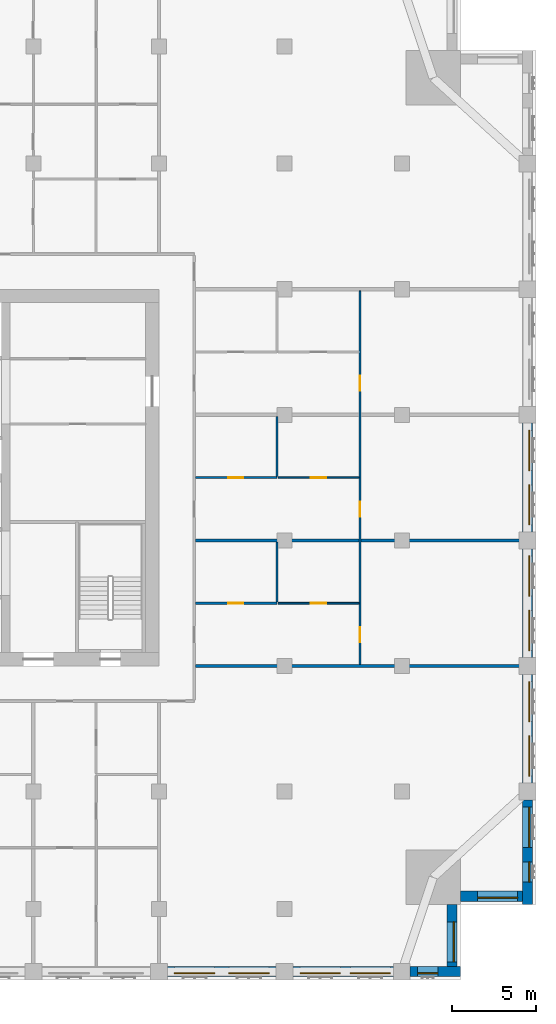
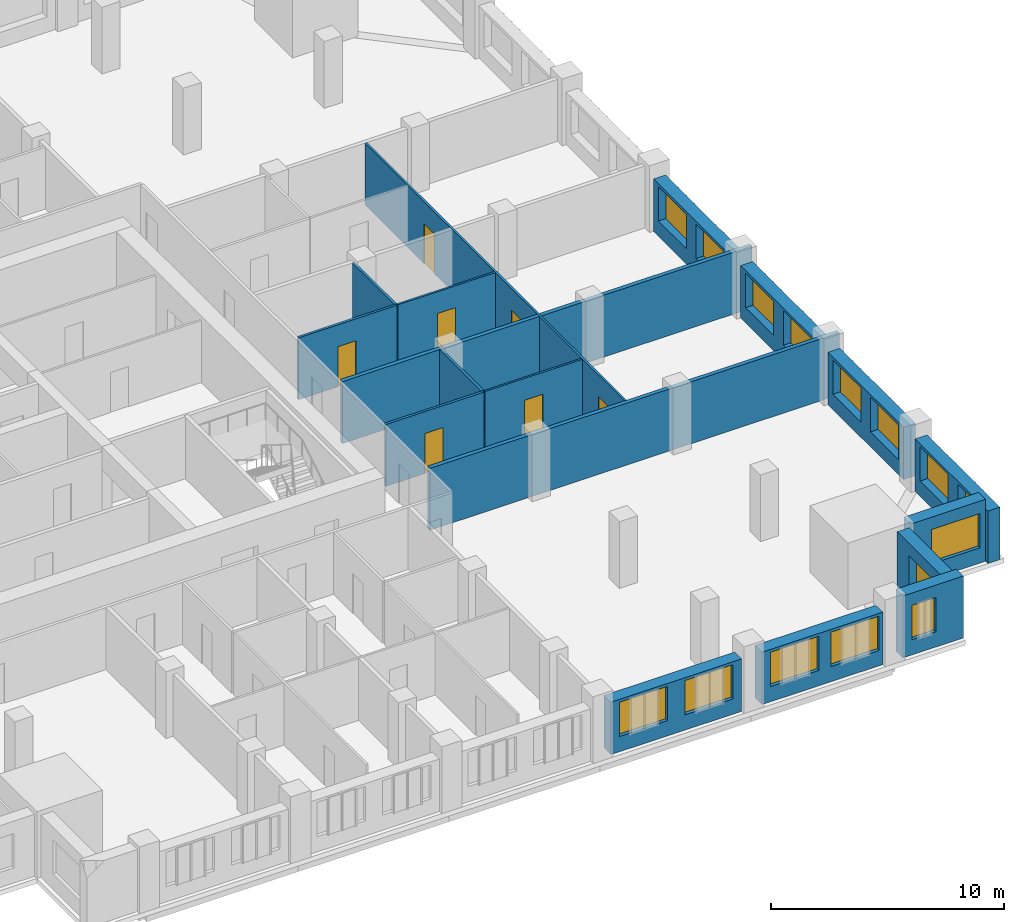
# One storey, part 8 of 14: 18 walls, 15 windows, 7 doors, 22 openings.
"""IFC4 building model written with IfcOpenShell, lengths in metres."""

import ifcopenshell
import ifcopenshell.guid

model = None  # the IFC model being written
_history = None  # IfcOwnerHistory: only IFC2X3 demands one
_inside = {}  # id of a spatial element -> (the spatial element, [elements in it])
_under = {}  # id of a project, library or spatial element -> (it, [spatial elements below it])
_declared = {}  # id of a project -> (the project, [libraries it declares])
_typed = {}  # id of a type object -> (the type object, [elements of that type])
_made_of = {}  # id of a material, layer set ... -> (it, [elements and type objects made of it])


def new_model(schema):
    """Start an empty IFC model of exactly this schema.

    Asked for "IFC4X3", IfcOpenShell would pick the latest addendum, in which some entities
    have other attributes; the version numbers below select the first issue.
    IFC2X3 requires an IfcOwnerHistory on every rooted entity: one is made here for all.
    """
    global model, _history
    if schema == "IFC4X3":
        model = ifcopenshell.file(schema_version=(4, 3, 0, 0))
    else:
        model = ifcopenshell.file(schema=schema)
    _inside.clear()
    _under.clear()
    _declared.clear()
    _typed.clear()
    _made_of.clear()
    _history = None
    if model.schema == "IFC2X3":
        org = make("IfcOrganization", Name="unknown")
        user = make(
            "IfcPersonAndOrganization",
            ThePerson=make("IfcPerson", FamilyName="unknown"),
            TheOrganization=org,
        )
        app = make(
            "IfcApplication",
            ApplicationDeveloper=org,
            Version="unknown",
            ApplicationFullName="unknown",
            ApplicationIdentifier="unknown",
        )
        _history = make(
            "IfcOwnerHistory",
            OwningUser=user,
            OwningApplication=app,
            ChangeAction="ADDED",
            CreationDate=0,
        )
    return model


def make(cls, **values):
    """One entity of the class cls with the attributes given. An attribute that is None is left unset."""
    return model.create_entity(
        cls, **{name: value for name, value in values.items() if value is not None}
    )


def rooted(cls, **values):
    """An entity with a GlobalId (a new one), such as an element, a storey or a relation."""
    return make(cls, GlobalId=ifcopenshell.guid.new(), OwnerHistory=_history, **values)


def si_unit(unit_type, name, prefix=None):
    """IfcSIUnit, for example si_unit("LENGTHUNIT", "METRE", prefix="MILLI")."""
    return make("IfcSIUnit", UnitType=unit_type, Prefix=prefix, Name=name)


def assignment(units):
    """IfcUnitAssignment: the units of a project."""
    return None if units is None else make("IfcUnitAssignment", Units=units)


def point(xyz):
    """IfcCartesianPoint."""
    return None if xyz is None else make("IfcCartesianPoint", Coordinates=xyz)


def direction(xyz):
    """IfcDirection."""
    return None if xyz is None else make("IfcDirection", DirectionRatios=xyz)


def frame(location, z_axis=None, x_axis=None):
    """IfcAxis2Placement3D, a coordinate frame: its origin and axes. An axis left out is left unset."""
    return make(
        "IfcAxis2Placement3D",
        Location=point(location),
        Axis=direction(z_axis),
        RefDirection=direction(x_axis),
    )


def frame_2d(location, x_axis=None):
    """IfcAxis2Placement2D, a coordinate frame in the plane: its origin and x axis."""
    return make(
        "IfcAxis2Placement2D", Location=point(location), RefDirection=direction(x_axis)
    )


def origin():
    """The frame at (0, 0, 0) with its axes left unset."""
    return frame((0.0, 0.0, 0.0))


def place(relative_to, where):
    """IfcLocalPlacement: puts the frame where relative to a parent placement (None: the world)."""
    return make(
        "IfcLocalPlacement", PlacementRelTo=relative_to, RelativePlacement=where
    )


def context(
    kind, dimensions, precision=None, world=None, true_north=None, identifier=None
):
    """IfcGeometricRepresentationContext, for example the 3D "Model" context."""
    return make(
        "IfcGeometricRepresentationContext",
        ContextIdentifier=identifier,
        ContextType=kind,
        CoordinateSpaceDimension=dimensions,
        Precision=precision,
        WorldCoordinateSystem=world,
        TrueNorth=true_north,
    )


def subcontext(parent, identifier, kind, view, scale=None):
    """IfcGeometricRepresentationSubContext, for example "Body" below "Model"."""
    return make(
        "IfcGeometricRepresentationSubContext",
        ContextIdentifier=identifier,
        ContextType=kind,
        ParentContext=parent,
        TargetScale=scale,
        TargetView=view,
    )


def project(units=None, contexts=None):
    """IfcProject with its units and contexts."""
    return rooted(
        "IfcProject",
        Name="project",
        RepresentationContexts=contexts,
        UnitsInContext=assignment(units),
    )


def spatial(cls, under=None, at=None, **own):
    """A site, building, storey or space (cls), placed at a placement, below another one or the project."""
    s = rooted(cls, ObjectPlacement=at, **own)
    if under is not None:
        _under.setdefault(under.id(), (under, []))[1].append(s)
    return s


def profile(cls, at=None, kind="AREA", **sizes):
    """A parametric profile (cls). Its sizes go by their IFC names, for example OverallWidth=200.0."""
    return make(cls, ProfileType=kind, Position=at, **sizes)


def rectangle(**sizes):
    """IfcRectangleProfileDef."""
    return profile("IfcRectangleProfileDef", **sizes)


def extrude(swept, where, along, depth):
    """IfcExtrudedAreaSolid: the profile swept, set in the frame where, extruded along a direction by depth."""
    return make(
        "IfcExtrudedAreaSolid",
        SweptArea=swept,
        Position=where,
        ExtrudedDirection=direction(along),
        Depth=depth,
    )


def shape(context_of_items, identifier, shape_type, items):
    """IfcShapeRepresentation: the items that make up one representation, for example the "Body"."""
    return make(
        "IfcShapeRepresentation",
        ContextOfItems=context_of_items,
        RepresentationIdentifier=identifier,
        RepresentationType=shape_type,
        Items=items,
    )


def material(Name=None, Category=None):
    """IfcMaterial."""
    return make("IfcMaterial", Name=Name, Category=Category)


def layer(
    of_material, thickness, ventilated=None, Name=None, Category=None, Priority=None
):
    """IfcMaterialLayer: one layer of a wall or slab, of a material (None: an air gap)."""
    return make(
        "IfcMaterialLayer",
        Material=of_material,
        LayerThickness=thickness,
        IsVentilated=ventilated,
        Name=Name,
        Category=Category,
        Priority=Priority,
    )


def layer_set(layers, Name=None):
    """IfcMaterialLayerSet."""
    return make("IfcMaterialLayerSet", MaterialLayers=layers, LayerSetName=Name)


def made_of(thing, what):
    """Note that an element or type object is made of a material, layer set ...; save() writes the relation."""
    if what is not None:
        _made_of.setdefault(what.id(), (what, []))[1].append(thing)
    return thing


def type_object(cls, material=None, **own):
    """A type object (cls), such as IfcWallType, which elements share."""
    return made_of(rooted(cls, **own), material)


def element(
    cls,
    number,
    at=None,
    inside=None,
    cuts=None,
    type_object=None,
    material=None,
    context=None,
    identifier="Body",
    shape_type=None,
    held_by="IfcProductDefinitionShape",
    body=None,
    shapes=None,
    **own,
):
    """One element of the class cls, such as IfcWall. Its Tag is "e" and its number.

    at: its placement. inside: the storey or other place that contains it. cuts: it is an
    opening in that element (IfcRelVoidsElement). A single representation is given by context,
    identifier, shape_type and body (its items); several are given by shapes. held_by: the class
    of the entity that holds the representations. save() writes the other relations.
    """
    e = rooted(cls, Tag="e%d" % number, ObjectPlacement=at, **own)
    if body is not None:
        shapes = [shape(context, identifier, shape_type, body)]
    if shapes is not None:
        e.Representation = make(held_by, Representations=shapes)
    if inside is not None:
        _inside.setdefault(inside.id(), (inside, []))[1].append(e)
    if cuts is not None:
        rooted(
            "IfcRelVoidsElement", RelatingBuildingElement=cuts, RelatedOpeningElement=e
        )
    if type_object is not None:
        _typed.setdefault(type_object.id(), (type_object, []))[1].append(e)
    return made_of(e, material)


def fill(opening, filler):
    """IfcRelFillsElement: the door or window that sits in an opening."""
    return rooted(
        "IfcRelFillsElement",
        RelatingOpeningElement=opening,
        RelatedBuildingElement=filler,
    )


def aggregate(whole, parts):
    """IfcRelAggregates: a whole, such as a stair, and the parts it consists of."""
    return rooted("IfcRelAggregates", RelatingObject=whole, RelatedObjects=parts)


def save(model, path):
    """Write the relations noted so far, then the file.

    IfcRelAggregates (storeys below a building ...), IfcRelContainedInSpatialStructure (elements
    in a storey), IfcRelDefinesByType, IfcRelAssociatesMaterial and IfcRelDeclares: one each for
    every whole, place, type object, material and project.
    """
    for whole, parts in _under.values():
        aggregate(whole, parts)
    for where, things in _inside.values():
        rooted(
            "IfcRelContainedInSpatialStructure",
            RelatedElements=things,
            RelatingStructure=where,
        )
    for kind, things in _typed.values():
        rooted("IfcRelDefinesByType", RelatedObjects=things, RelatingType=kind)
    for what, things in _made_of.values():
        rooted("IfcRelAssociatesMaterial", RelatedObjects=things, RelatingMaterial=what)
    for by, libraries in _declared.values():
        rooted("IfcRelDeclares", RelatingContext=by, RelatedDefinitions=libraries)
    model.write(path)


model = new_model("IFC4")

# Units and contexts
model_context = context("Model", 3, precision=1e-05, world=origin(), true_north=direction((0.0, 1.0)))
body_context = subcontext(model_context, "Body", "Model", "MODEL_VIEW")
ifc_project = project(units=[si_unit("LENGTHUNIT", "METRE"), si_unit("AREAUNIT", "SQUARE_METRE"), si_unit("VOLUMEUNIT", "CUBIC_METRE"), si_unit("PLANEANGLEUNIT", "RADIAN"), si_unit("MASSUNIT", "GRAM", prefix="KILO")], contexts=[model_context])

# Site, building, storey
site_placement = place(None, origin())
site = spatial("IfcSite", under=ifc_project, at=site_placement, CompositionType="ELEMENT")
building_placement = place(site_placement, origin())
building = spatial("IfcBuilding", under=site, at=building_placement, Name="Tamorin Gate", CompositionType="ELEMENT")
storey_placement = place(building_placement, frame((0.0, 0.0, 189.699951171875)))
storey = spatial("IfcBuildingStorey", under=building, at=storey_placement, Name="L46", CompositionType="ELEMENT", Elevation=189.699951171875)

# Wall, openings, windows
ifc_material_1 = material(Name="Precast concrete C40/50", Category="concrete")
ifc_layer_1 = layer(ifc_material_1, 0.60009765625)
ifc_layer_set_1 = layer_set([ifc_layer_1], Name="Precast concrete C40/50")
wall_type_1 = type_object("IfcWallType", Name="Board-marked concrete facade panel 600", PredefinedType="SOLIDWALL", material=ifc_layer_set_1)
wall_1_placement = place(storey_placement, frame((60.5, 41.75, 0.0), z_axis=(0.0, 0.0, 1.0), x_axis=(1.0, 0.0, 0.0)))
wall_1 = element("IfcWall", 1, at=wall_1_placement, inside=storey, type_object=wall_type_1, Name="Facade panel", PredefinedType="SOLIDWALL", context=body_context, shape_type="SweptSolid", body=[
    extrude(rectangle(XDim=6.5, YDim=0.60009765625, at=frame_2d((3.25, 0.0))), origin(), (0.0, 0.0, 1.0), 2.75),
])
opening_1_placement = place(wall_1_placement, frame((0.425048828125, 0.0, 0.800048828125)))
opening_1 = element("IfcOpeningElement", 2, at=opening_1_placement, cuts=wall_1, Name="Opening WN1", PredefinedType="OPENING", context=body_context, shape_type="SweptSolid", body=[
    extrude(rectangle(XDim=2.39990234375, YDim=1.800048828125, at=frame_2d((1.199951171875, 0.89990234375))), frame((0.0, 0.31005859375, 0.0), z_axis=(0.0, -1.0, 0.0), x_axis=(1.0, 0.0, 0.0)), (0.0, 0.0, 1.0), 0.6201171875),
])
opening_2_placement = place(wall_1_placement, frame((3.675048828125, 0.0, 0.800048828125)))
opening_2 = element("IfcOpeningElement", 3, at=opening_2_placement, cuts=wall_1, Name="Opening WN1", PredefinedType="OPENING", context=body_context, shape_type="SweptSolid", body=[
    extrude(rectangle(XDim=2.39990234375, YDim=1.800048828125, at=frame_2d((1.199951171875, 0.89990234375))), frame((0.0, 0.31005859375, 0.0), z_axis=(0.0, -1.0, 0.0), x_axis=(1.0, 0.0, 0.0)), (0.0, 0.0, 1.0), 0.6201171875),
])
ifc_material_2 = material(Name="Clear glass in aluminium frame", Category="aluminium")
window_type_1 = type_object("IfcWindowType", Name="Deep-set window 2400x1800", PartitioningType="SINGLE_PANEL", PredefinedType="WINDOW", material=ifc_material_2)
window_1_placement = place(opening_1_placement, origin())
window_1 = element("IfcWindow", 4, at=window_1_placement, inside=storey, type_object=window_type_1, Name="Deep-set window", OverallHeight=1.800048828125, OverallWidth=2.39990234375, PartitioningType="SINGLE_PANEL", PredefinedType="WINDOW", context=body_context, shape_type="SweptSolid", body=[
    extrude(rectangle(XDim=2.39990234375, YDim=1.800048828125, at=frame_2d((1.199951171875, 0.89990234375))), frame((0.0, -0.070068359375, 0.0), z_axis=(0.0, -1.0, 0.0), x_axis=(1.0, 0.0, 0.0)), (0.0, 0.0, 1.0), 0.06005859375),
])
fill(opening_1, window_1)
window_2_placement = place(opening_2_placement, origin())
window_2 = element("IfcWindow", 5, at=window_2_placement, inside=storey, type_object=window_type_1, Name="Deep-set window", OverallHeight=1.800048828125, OverallWidth=2.39990234375, PartitioningType="SINGLE_PANEL", PredefinedType="WINDOW", context=body_context, shape_type="SweptSolid", body=[
    extrude(rectangle(XDim=2.39990234375, YDim=1.800048828125, at=frame_2d((1.199951171875, 0.89990234375))), frame((0.0, -0.070068359375, 0.0), z_axis=(0.0, -1.0, 0.0), x_axis=(1.0, 0.0, 0.0)), (0.0, 0.0, 1.0), 0.06005859375),
])
fill(opening_2, window_2)

wall_2_placement = place(storey_placement, frame((68.0, 41.75, 0.0), z_axis=(0.0, 0.0, 1.0), x_axis=(1.0, 0.0, 0.0)))
wall_2 = element("IfcWall", 6, at=wall_2_placement, inside=storey, type_object=wall_type_1, Name="Facade panel", PredefinedType="SOLIDWALL", context=body_context, shape_type="SweptSolid", body=[
    extrude(rectangle(XDim=6.0, YDim=0.60009765625, at=frame_2d((3.0, 0.0))), origin(), (0.0, 0.0, 1.0), 2.75),
])
opening_3_placement = place(wall_2_placement, frame((0.425048828125, 0.0, 0.800048828125)))
opening_3 = element("IfcOpeningElement", 7, at=opening_3_placement, cuts=wall_2, Name="Opening WN1", PredefinedType="OPENING", context=body_context, shape_type="SweptSolid", body=[
    extrude(rectangle(XDim=2.39990234375, YDim=1.800048828125, at=frame_2d((1.199951171875, 0.89990234375))), frame((0.0, 0.31005859375, 0.0), z_axis=(0.0, -1.0, 0.0), x_axis=(1.0, 0.0, 0.0)), (0.0, 0.0, 1.0), 0.6201171875),
])
opening_4_placement = place(wall_2_placement, frame((3.425048828125, 0.0, 0.800048828125)))
opening_4 = element("IfcOpeningElement", 8, at=opening_4_placement, cuts=wall_2, Name="Opening WN1", PredefinedType="OPENING", context=body_context, shape_type="SweptSolid", body=[
    extrude(rectangle(XDim=2.39990234375, YDim=1.800048828125, at=frame_2d((1.199951171875, 0.89990234375))), frame((0.0, 0.31005859375, 0.0), z_axis=(0.0, -1.0, 0.0), x_axis=(1.0, 0.0, 0.0)), (0.0, 0.0, 1.0), 0.6201171875),
])
window_3_placement = place(opening_3_placement, origin())
window_3 = element("IfcWindow", 9, at=window_3_placement, inside=storey, type_object=window_type_1, Name="Deep-set window", OverallHeight=1.800048828125, OverallWidth=2.39990234375, PartitioningType="SINGLE_PANEL", PredefinedType="WINDOW", context=body_context, shape_type="SweptSolid", body=[
    extrude(rectangle(XDim=2.39990234375, YDim=1.800048828125, at=frame_2d((1.199951171875, 0.89990234375))), frame((0.0, -0.070068359375, 0.0), z_axis=(0.0, -1.0, 0.0), x_axis=(1.0, 0.0, 0.0)), (0.0, 0.0, 1.0), 0.06005859375),
])
fill(opening_3, window_3)
window_4_placement = place(opening_4_placement, origin())
window_4 = element("IfcWindow", 10, at=window_4_placement, inside=storey, type_object=window_type_1, Name="Deep-set window", OverallHeight=1.800048828125, OverallWidth=2.39990234375, PartitioningType="SINGLE_PANEL", PredefinedType="WINDOW", context=body_context, shape_type="SweptSolid", body=[
    extrude(rectangle(XDim=2.39990234375, YDim=1.800048828125, at=frame_2d((1.199951171875, 0.89990234375))), frame((0.0, -0.070068359375, 0.0), z_axis=(0.0, -1.0, 0.0), x_axis=(1.0, 0.0, 0.0)), (0.0, 0.0, 1.0), 0.06005859375),
])
fill(opening_4, window_4)

# Wall, opening, window
wall_3_placement = place(storey_placement, frame((75.0, 41.75, 0.0), z_axis=(0.0, 0.0, 1.0), x_axis=(1.0, 0.0, 0.0)))
wall_3 = element("IfcWall", 11, at=wall_3_placement, inside=storey, type_object=wall_type_1, Name="Facade panel", PredefinedType="SOLIDWALL", context=body_context, shape_type="SweptSolid", body=[
    extrude(rectangle(XDim=3.0, YDim=0.60009765625, at=frame_2d((1.5, 0.0))), origin(), (0.0, 0.0, 1.0), 3.25),
])
opening_5_placement = place(wall_3_placement, frame((0.449951171875, 0.0, 0.800048828125)))
opening_5 = element("IfcOpeningElement", 12, at=opening_5_placement, cuts=wall_3, Name="Opening WN3", PredefinedType="OPENING", context=body_context, shape_type="SweptSolid", body=[
    extrude(rectangle(XDim=1.199951171875, YDim=1.800048828125, at=frame_2d((0.60009765625, 0.89990234375))), frame((0.0, 0.31005859375, 0.0), z_axis=(0.0, -1.0, 0.0), x_axis=(1.0, 0.0, 0.0)), (0.0, 0.0, 1.0), 0.6201171875),
])
window_type_2 = type_object("IfcWindowType", Name="Deep-set window 1200x1800", PartitioningType="SINGLE_PANEL", PredefinedType="WINDOW", material=ifc_material_2)
window_5_placement = place(opening_5_placement, origin())
window_5 = element("IfcWindow", 13, at=window_5_placement, inside=storey, type_object=window_type_2, Name="Deep-set window", OverallHeight=1.800048828125, OverallWidth=1.199951171875, PartitioningType="SINGLE_PANEL", PredefinedType="WINDOW", context=body_context, shape_type="SweptSolid", body=[
    extrude(rectangle(XDim=1.199951171875, YDim=1.800048828125, at=frame_2d((0.60009765625, 0.89990234375))), frame((0.0, -0.070068359375, 0.0), z_axis=(0.0, -1.0, 0.0), x_axis=(1.0, 0.0, 0.0)), (0.0, 0.0, 1.0), 0.06005859375),
])
fill(opening_5, window_5)

wall_4_placement = place(storey_placement, frame((77.5, 42.050048828125, 0.0), z_axis=(0.0, 0.0, 1.0), x_axis=(0.0, 1.0, 0.0)))
wall_4 = element("IfcWall", 14, at=wall_4_placement, inside=storey, type_object=wall_type_1, Name="Facade panel", PredefinedType="SOLIDWALL", context=body_context, shape_type="SweptSolid", body=[
    extrude(rectangle(XDim=3.699951171875, YDim=0.60009765625, at=frame_2d((1.85009765625, 0.0))), origin(), (0.0, 0.0, 1.0), 3.25),
])
opening_6_placement = place(wall_4_placement, frame((0.27490234375, 0.0, 0.800048828125)))
opening_6 = element("IfcOpeningElement", 15, at=opening_6_placement, cuts=wall_4, Name="Opening WN1", PredefinedType="OPENING", context=body_context, shape_type="SweptSolid", body=[
    extrude(rectangle(XDim=2.39990234375, YDim=1.800048828125, at=frame_2d((1.199951171875, 0.89990234375))), frame((0.0, 0.31005859375, 0.0), z_axis=(0.0, -1.0, 0.0), x_axis=(1.0, 0.0, 0.0)), (0.0, 0.0, 1.0), 0.6201171875),
])
window_6_placement = place(opening_6_placement, origin())
window_6 = element("IfcWindow", 16, at=window_6_placement, inside=storey, type_object=window_type_1, Name="Deep-set window", OverallHeight=1.800048828125, OverallWidth=2.39990234375, PartitioningType="SINGLE_PANEL", PredefinedType="WINDOW", context=body_context, shape_type="SweptSolid", body=[
    extrude(rectangle(XDim=2.39990234375, YDim=1.800048828125, at=frame_2d((1.199951171875, 0.89990234375))), frame((0.0, -0.070068359375, 0.0), z_axis=(0.0, -1.0, 0.0), x_axis=(1.0, 0.0, 0.0)), (0.0, 0.0, 1.0), 0.06005859375),
])
fill(opening_6, window_6)

wall_5_placement = place(storey_placement, frame((78.0, 46.25, 0.0), z_axis=(0.0, 0.0, 1.0), x_axis=(1.0, 0.0, 0.0)))
wall_5 = element("IfcWall", 17, at=wall_5_placement, inside=storey, type_object=wall_type_1, Name="Facade panel", PredefinedType="SOLIDWALL", context=body_context, shape_type="SweptSolid", body=[
    extrude(rectangle(XDim=3.699951171875, YDim=0.60009765625, at=frame_2d((1.85009765625, 0.0))), origin(), (0.0, 0.0, 1.0), 3.25),
])
opening_7_placement = place(wall_5_placement, frame((1.02490234375, 0.0, 0.800048828125)))
opening_7 = element("IfcOpeningElement", 18, at=opening_7_placement, cuts=wall_5, Name="Opening WN1", PredefinedType="OPENING", context=body_context, shape_type="SweptSolid", body=[
    extrude(rectangle(XDim=2.39990234375, YDim=1.800048828125, at=frame_2d((1.199951171875, 0.89990234375))), frame((0.0, 0.31005859375, 0.0), z_axis=(0.0, -1.0, 0.0), x_axis=(1.0, 0.0, 0.0)), (0.0, 0.0, 1.0), 0.6201171875),
])
window_7_placement = place(opening_7_placement, origin())
window_7 = element("IfcWindow", 19, at=window_7_placement, inside=storey, type_object=window_type_1, Name="Deep-set window", OverallHeight=1.800048828125, OverallWidth=2.39990234375, PartitioningType="SINGLE_PANEL", PredefinedType="WINDOW", context=body_context, shape_type="SweptSolid", body=[
    extrude(rectangle(XDim=2.39990234375, YDim=1.800048828125, at=frame_2d((1.199951171875, 0.89990234375))), frame((0.0, -0.070068359375, 0.0), z_axis=(0.0, -1.0, 0.0), x_axis=(1.0, 0.0, 0.0)), (0.0, 0.0, 1.0), 0.06005859375),
])
fill(opening_7, window_7)

# Wall, openings, windows
wall_6_placement = place(storey_placement, frame((82.0, 45.75, 0.0), z_axis=(0.0, 0.0, 1.0), x_axis=(0.0, 1.0, 0.0)))
wall_6 = element("IfcWall", 20, at=wall_6_placement, inside=storey, type_object=wall_type_1, Name="Facade panel", PredefinedType="SOLIDWALL", context=body_context, shape_type="SweptSolid", body=[
    extrude(rectangle(XDim=6.25, YDim=0.60009765625, at=frame_2d((3.125, 0.0))), origin(), (0.0, 0.0, 1.0), 2.75),
])
opening_8_placement = place(wall_6_placement, frame((1.35009765625, 0.0, 0.800048828125)))
opening_8 = element("IfcOpeningElement", 21, at=opening_8_placement, cuts=wall_6, Name="Opening WN3", PredefinedType="OPENING", context=body_context, shape_type="SweptSolid", body=[
    extrude(rectangle(XDim=1.199951171875, YDim=1.800048828125, at=frame_2d((0.60009765625, 0.89990234375))), frame((0.0, 0.31005859375, 0.0), z_axis=(0.0, -1.0, 0.0), x_axis=(1.0, 0.0, 0.0)), (0.0, 0.0, 1.0), 0.6201171875),
])
opening_9_placement = place(wall_6_placement, frame((3.425048828125, 0.0, 0.800048828125)))
opening_9 = element("IfcOpeningElement", 22, at=opening_9_placement, cuts=wall_6, Name="Opening WN1", PredefinedType="OPENING", context=body_context, shape_type="SweptSolid", body=[
    extrude(rectangle(XDim=2.39990234375, YDim=1.800048828125, at=frame_2d((1.199951171875, 0.89990234375))), frame((0.0, 0.31005859375, 0.0), z_axis=(0.0, -1.0, 0.0), x_axis=(1.0, 0.0, 0.0)), (0.0, 0.0, 1.0), 0.6201171875),
])
window_8_placement = place(opening_8_placement, origin())
window_8 = element("IfcWindow", 23, at=window_8_placement, inside=storey, type_object=window_type_2, Name="Deep-set window", OverallHeight=1.800048828125, OverallWidth=1.199951171875, PartitioningType="SINGLE_PANEL", PredefinedType="WINDOW", context=body_context, shape_type="SweptSolid", body=[
    extrude(rectangle(XDim=1.199951171875, YDim=1.800048828125, at=frame_2d((0.60009765625, 0.89990234375))), frame((0.0, -0.070068359375, 0.0), z_axis=(0.0, -1.0, 0.0), x_axis=(1.0, 0.0, 0.0)), (0.0, 0.0, 1.0), 0.06005859375),
])
fill(opening_8, window_8)
window_9_placement = place(opening_9_placement, origin())
window_9 = element("IfcWindow", 24, at=window_9_placement, inside=storey, type_object=window_type_1, Name="Deep-set window", OverallHeight=1.800048828125, OverallWidth=2.39990234375, PartitioningType="SINGLE_PANEL", PredefinedType="WINDOW", context=body_context, shape_type="SweptSolid", body=[
    extrude(rectangle(XDim=2.39990234375, YDim=1.800048828125, at=frame_2d((1.199951171875, 0.89990234375))), frame((0.0, -0.070068359375, 0.0), z_axis=(0.0, -1.0, 0.0), x_axis=(1.0, 0.0, 0.0)), (0.0, 0.0, 1.0), 0.06005859375),
])
fill(opening_9, window_9)

wall_7_placement = place(storey_placement, frame((82.0, 53.0, 0.0), z_axis=(0.0, 0.0, 1.0), x_axis=(0.0, 1.0, 0.0)))
wall_7 = element("IfcWall", 25, at=wall_7_placement, inside=storey, type_object=wall_type_1, Name="Facade panel", PredefinedType="SOLIDWALL", context=body_context, shape_type="SweptSolid", body=[
    extrude(rectangle(XDim=6.5, YDim=0.60009765625, at=frame_2d((3.25, 0.0))), origin(), (0.0, 0.0, 1.0), 2.75),
])
opening_10_placement = place(wall_7_placement, frame((0.425048828125, 0.0, 0.800048828125)))
opening_10 = element("IfcOpeningElement", 26, at=opening_10_placement, cuts=wall_7, Name="Opening WN1", PredefinedType="OPENING", context=body_context, shape_type="SweptSolid", body=[
    extrude(rectangle(XDim=2.39990234375, YDim=1.800048828125, at=frame_2d((1.199951171875, 0.89990234375))), frame((0.0, 0.31005859375, 0.0), z_axis=(0.0, -1.0, 0.0), x_axis=(1.0, 0.0, 0.0)), (0.0, 0.0, 1.0), 0.6201171875),
])
opening_11_placement = place(wall_7_placement, frame((3.675048828125, 0.0, 0.800048828125)))
opening_11 = element("IfcOpeningElement", 27, at=opening_11_placement, cuts=wall_7, Name="Opening WN1", PredefinedType="OPENING", context=body_context, shape_type="SweptSolid", body=[
    extrude(rectangle(XDim=2.39990234375, YDim=1.800048828125, at=frame_2d((1.199951171875, 0.89990234375))), frame((0.0, 0.31005859375, 0.0), z_axis=(0.0, -1.0, 0.0), x_axis=(1.0, 0.0, 0.0)), (0.0, 0.0, 1.0), 0.6201171875),
])
window_10_placement = place(opening_10_placement, origin())
window_10 = element("IfcWindow", 28, at=window_10_placement, inside=storey, type_object=window_type_1, Name="Deep-set window", OverallHeight=1.800048828125, OverallWidth=2.39990234375, PartitioningType="SINGLE_PANEL", PredefinedType="WINDOW", context=body_context, shape_type="SweptSolid", body=[
    extrude(rectangle(XDim=2.39990234375, YDim=1.800048828125, at=frame_2d((1.199951171875, 0.89990234375))), frame((0.0, -0.070068359375, 0.0), z_axis=(0.0, -1.0, 0.0), x_axis=(1.0, 0.0, 0.0)), (0.0, 0.0, 1.0), 0.06005859375),
])
fill(opening_10, window_10)
window_11_placement = place(opening_11_placement, origin())
window_11 = element("IfcWindow", 29, at=window_11_placement, inside=storey, type_object=window_type_1, Name="Deep-set window", OverallHeight=1.800048828125, OverallWidth=2.39990234375, PartitioningType="SINGLE_PANEL", PredefinedType="WINDOW", context=body_context, shape_type="SweptSolid", body=[
    extrude(rectangle(XDim=2.39990234375, YDim=1.800048828125, at=frame_2d((1.199951171875, 0.89990234375))), frame((0.0, -0.070068359375, 0.0), z_axis=(0.0, -1.0, 0.0), x_axis=(1.0, 0.0, 0.0)), (0.0, 0.0, 1.0), 0.06005859375),
])
fill(opening_11, window_11)

wall_8_placement = place(storey_placement, frame((82.0, 60.5, 0.0), z_axis=(0.0, 0.0, 1.0), x_axis=(0.0, 1.0, 0.0)))
wall_8 = element("IfcWall", 30, at=wall_8_placement, inside=storey, type_object=wall_type_1, Name="Facade panel", PredefinedType="SOLIDWALL", context=body_context, shape_type="SweptSolid", body=[
    extrude(rectangle(XDim=6.5, YDim=0.60009765625, at=frame_2d((3.25, 0.0))), origin(), (0.0, 0.0, 1.0), 2.75),
])
opening_12_placement = place(wall_8_placement, frame((0.425048828125, 0.0, 0.800048828125)))
opening_12 = element("IfcOpeningElement", 31, at=opening_12_placement, cuts=wall_8, Name="Opening WN1", PredefinedType="OPENING", context=body_context, shape_type="SweptSolid", body=[
    extrude(rectangle(XDim=2.39990234375, YDim=1.800048828125, at=frame_2d((1.199951171875, 0.89990234375))), frame((0.0, 0.31005859375, 0.0), z_axis=(0.0, -1.0, 0.0), x_axis=(1.0, 0.0, 0.0)), (0.0, 0.0, 1.0), 0.6201171875),
])
opening_13_placement = place(wall_8_placement, frame((3.675048828125, 0.0, 0.800048828125)))
opening_13 = element("IfcOpeningElement", 32, at=opening_13_placement, cuts=wall_8, Name="Opening WN1", PredefinedType="OPENING", context=body_context, shape_type="SweptSolid", body=[
    extrude(rectangle(XDim=2.39990234375, YDim=1.800048828125, at=frame_2d((1.199951171875, 0.89990234375))), frame((0.0, 0.31005859375, 0.0), z_axis=(0.0, -1.0, 0.0), x_axis=(1.0, 0.0, 0.0)), (0.0, 0.0, 1.0), 0.6201171875),
])
window_12_placement = place(opening_12_placement, origin())
window_12 = element("IfcWindow", 33, at=window_12_placement, inside=storey, type_object=window_type_1, Name="Deep-set window", OverallHeight=1.800048828125, OverallWidth=2.39990234375, PartitioningType="SINGLE_PANEL", PredefinedType="WINDOW", context=body_context, shape_type="SweptSolid", body=[
    extrude(rectangle(XDim=2.39990234375, YDim=1.800048828125, at=frame_2d((1.199951171875, 0.89990234375))), frame((0.0, -0.070068359375, 0.0), z_axis=(0.0, -1.0, 0.0), x_axis=(1.0, 0.0, 0.0)), (0.0, 0.0, 1.0), 0.06005859375),
])
fill(opening_12, window_12)
window_13_placement = place(opening_13_placement, origin())
window_13 = element("IfcWindow", 34, at=window_13_placement, inside=storey, type_object=window_type_1, Name="Deep-set window", OverallHeight=1.800048828125, OverallWidth=2.39990234375, PartitioningType="SINGLE_PANEL", PredefinedType="WINDOW", context=body_context, shape_type="SweptSolid", body=[
    extrude(rectangle(XDim=2.39990234375, YDim=1.800048828125, at=frame_2d((1.199951171875, 0.89990234375))), frame((0.0, -0.070068359375, 0.0), z_axis=(0.0, -1.0, 0.0), x_axis=(1.0, 0.0, 0.0)), (0.0, 0.0, 1.0), 0.06005859375),
])
fill(opening_13, window_13)

wall_9_placement = place(storey_placement, frame((82.0, 68.0, 0.0), z_axis=(0.0, 0.0, 1.0), x_axis=(0.0, 1.0, 0.0)))
wall_9 = element("IfcWall", 35, at=wall_9_placement, inside=storey, type_object=wall_type_1, Name="Facade panel", PredefinedType="SOLIDWALL", context=body_context, shape_type="SweptSolid", body=[
    extrude(rectangle(XDim=6.5, YDim=0.60009765625, at=frame_2d((3.25, 0.0))), origin(), (0.0, 0.0, 1.0), 2.75),
])
opening_14_placement = place(wall_9_placement, frame((0.425048828125, 0.0, 0.800048828125)))
opening_14 = element("IfcOpeningElement", 36, at=opening_14_placement, cuts=wall_9, Name="Opening WN1", PredefinedType="OPENING", context=body_context, shape_type="SweptSolid", body=[
    extrude(rectangle(XDim=2.39990234375, YDim=1.800048828125, at=frame_2d((1.199951171875, 0.89990234375))), frame((0.0, 0.31005859375, 0.0), z_axis=(0.0, -1.0, 0.0), x_axis=(1.0, 0.0, 0.0)), (0.0, 0.0, 1.0), 0.6201171875),
])
opening_15_placement = place(wall_9_placement, frame((3.675048828125, 0.0, 0.800048828125)))
opening_15 = element("IfcOpeningElement", 37, at=opening_15_placement, cuts=wall_9, Name="Opening WN1", PredefinedType="OPENING", context=body_context, shape_type="SweptSolid", body=[
    extrude(rectangle(XDim=2.39990234375, YDim=1.800048828125, at=frame_2d((1.199951171875, 0.89990234375))), frame((0.0, 0.31005859375, 0.0), z_axis=(0.0, -1.0, 0.0), x_axis=(1.0, 0.0, 0.0)), (0.0, 0.0, 1.0), 0.6201171875),
])
window_14_placement = place(opening_14_placement, origin())
window_14 = element("IfcWindow", 38, at=window_14_placement, inside=storey, type_object=window_type_1, Name="Deep-set window", OverallHeight=1.800048828125, OverallWidth=2.39990234375, PartitioningType="SINGLE_PANEL", PredefinedType="WINDOW", context=body_context, shape_type="SweptSolid", body=[
    extrude(rectangle(XDim=2.39990234375, YDim=1.800048828125, at=frame_2d((1.199951171875, 0.89990234375))), frame((0.0, -0.070068359375, 0.0), z_axis=(0.0, -1.0, 0.0), x_axis=(1.0, 0.0, 0.0)), (0.0, 0.0, 1.0), 0.06005859375),
])
fill(opening_14, window_14)
window_15_placement = place(opening_15_placement, origin())
window_15 = element("IfcWindow", 39, at=window_15_placement, inside=storey, type_object=window_type_1, Name="Deep-set window", OverallHeight=1.800048828125, OverallWidth=2.39990234375, PartitioningType="SINGLE_PANEL", PredefinedType="WINDOW", context=body_context, shape_type="SweptSolid", body=[
    extrude(rectangle(XDim=2.39990234375, YDim=1.800048828125, at=frame_2d((1.199951171875, 0.89990234375))), frame((0.0, -0.070068359375, 0.0), z_axis=(0.0, -1.0, 0.0), x_axis=(1.0, 0.0, 0.0)), (0.0, 0.0, 1.0), 0.06005859375),
])
fill(opening_15, window_15)

# Walls
ifc_material_3 = material(Name="Gypsum board partition")
ifc_layer_2 = layer(ifc_material_3, 0.199951171875)
ifc_layer_set_2 = layer_set([ifc_layer_2], Name="Demising wall 200")
wall_type_2 = type_object("IfcWallType", Name="Demising wall 200", PredefinedType="PARTITIONING", material=ifc_layer_set_2)
for number, where, z_axis, x_axis, name in (
    (40, (62.175048828125, 60.0, 0.0), (0.0, 0.0, 1.0), (1.0, 0.0, 0.0), "Demising wall 200"),
    (41, (62.175048828125, 67.5, 0.0), (0.0, 0.0, 1.0), (1.0, 0.0, 0.0), "Demising wall 200"),
):
    element("IfcWall", number, at=place(storey_placement, frame(where, z_axis=z_axis, x_axis=x_axis)), inside=storey, type_object=wall_type_2, Name=name, PredefinedType="PARTITIONING", context=body_context, shape_type="SweptSolid", body=[
        extrude(rectangle(XDim=20.324951171875, YDim=0.199951171875, at=frame_2d((10.16259765625, 0.0))), origin(), (0.0, 0.0, 1.0), 3.25),
    ])

# Wall, opening, door
ifc_layer_3 = layer(ifc_material_3, 0.10009765625)
ifc_layer_set_3 = layer_set([ifc_layer_3], Name="Room partition 100")
wall_type_3 = type_object("IfcWallType", Name="Room partition 100", PredefinedType="PARTITIONING", material=ifc_layer_set_3)
wall_10_placement = place(storey_placement, frame((67.112548828125, 63.75, 0.0), z_axis=(0.0, 0.0, 1.0), x_axis=(1.0, 0.0, 0.0)))
wall_10 = element("IfcWall", 42, at=wall_10_placement, inside=storey, type_object=wall_type_3, Name="Room partition 100", PredefinedType="PARTITIONING", context=body_context, shape_type="SweptSolid", body=[
    extrude(rectangle(XDim=4.83740234375, YDim=0.10009765625, at=frame_2d((2.418701171875, 0.0))), origin(), (0.0, 0.0, 1.0), 3.25),
])
opening_16_placement = place(wall_10_placement, frame((1.96240234375, 0.0, 0.0)))
opening_16 = element("IfcOpeningElement", 43, at=opening_16_placement, cuts=wall_10, Name="Opening DR4033", PredefinedType="OPENING", context=body_context, shape_type="SweptSolid", body=[
    extrude(rectangle(XDim=0.89990234375, YDim=2.10009765625, at=frame_2d((0.449951171875, 1.050048828125))), frame((0.0, 0.06005859375, 0.0), z_axis=(0.0, -1.0, 0.0), x_axis=(1.0, 0.0, 0.0)), (0.0, 0.0, 1.0), 0.1201171875),
])
ifc_material_4 = material(Name="Timber door leaf", Category="wood")
door_type = type_object("IfcDoorType", Name="Door 900 x 2100", OperationType="NOTDEFINED", PredefinedType="DOOR", material=ifc_material_4)
door_1_placement = place(opening_16_placement, origin())
door_1 = element("IfcDoor", 44, at=door_1_placement, inside=storey, type_object=door_type, Name="Door DR4033", OperationType="SINGLE_SWING_LEFT", OverallHeight=2.10009765625, OverallWidth=0.89990234375, PredefinedType="DOOR", context=body_context, shape_type="SweptSolid", body=[
    extrude(rectangle(XDim=0.89990234375, YDim=2.10009765625, at=frame_2d((0.449951171875, 1.050048828125))), frame((0.0, 0.02490234375, 0.0), z_axis=(0.0, -1.0, 0.0), x_axis=(1.0, 0.0, 0.0)), (0.0, 0.0, 1.0), 0.050048828125),
])
fill(opening_16, door_1)

wall_11_placement = place(storey_placement, frame((67.112548828125, 71.25, 0.0), z_axis=(0.0, 0.0, 1.0), x_axis=(1.0, 0.0, 0.0)))
wall_11 = element("IfcWall", 45, at=wall_11_placement, inside=storey, type_object=wall_type_3, Name="Room partition 100", PredefinedType="PARTITIONING", context=body_context, shape_type="SweptSolid", body=[
    extrude(rectangle(XDim=4.83740234375, YDim=0.10009765625, at=frame_2d((2.418701171875, 0.0))), origin(), (0.0, 0.0, 1.0), 3.25),
])
opening_17_placement = place(wall_11_placement, frame((1.96240234375, 0.0, 0.0)))
opening_17 = element("IfcOpeningElement", 46, at=opening_17_placement, cuts=wall_11, Name="Opening DR4037", PredefinedType="OPENING", context=body_context, shape_type="SweptSolid", body=[
    extrude(rectangle(XDim=0.89990234375, YDim=2.10009765625, at=frame_2d((0.449951171875, 1.050048828125))), frame((0.0, 0.06005859375, 0.0), z_axis=(0.0, -1.0, 0.0), x_axis=(1.0, 0.0, 0.0)), (0.0, 0.0, 1.0), 0.1201171875),
])
door_2_placement = place(opening_17_placement, origin())
door_2 = element("IfcDoor", 47, at=door_2_placement, inside=storey, type_object=door_type, Name="Door DR4037", OperationType="SINGLE_SWING_LEFT", OverallHeight=2.10009765625, OverallWidth=0.89990234375, PredefinedType="DOOR", context=body_context, shape_type="SweptSolid", body=[
    extrude(rectangle(XDim=0.89990234375, YDim=2.10009765625, at=frame_2d((0.449951171875, 1.050048828125))), frame((0.0, 0.02490234375, 0.0), z_axis=(0.0, -1.0, 0.0), x_axis=(1.0, 0.0, 0.0)), (0.0, 0.0, 1.0), 0.050048828125),
])
fill(opening_17, door_2)

# Wall, openings, doors
wall_12_placement = place(storey_placement, frame((72.0, 60.10009765625, 0.0), z_axis=(0.0, 0.0, 1.0), x_axis=(0.0, 1.0, 0.0)))
wall_12 = element("IfcWall", 48, at=wall_12_placement, inside=storey, type_object=wall_type_3, Name="Room partition 100", PredefinedType="PARTITIONING", context=body_context, shape_type="SweptSolid", body=[
    extrude(rectangle(XDim=22.2998046875, YDim=0.10009765625, at=frame_2d((11.14990234375, 0.0))), origin(), (0.0, 0.0, 1.0), 3.25),
])
opening_18_placement = place(wall_12_placement, frame((1.324951171875, 0.0, 0.0)))
opening_18 = element("IfcOpeningElement", 49, at=opening_18_placement, cuts=wall_12, Name="Opening DR4032", PredefinedType="OPENING", context=body_context, shape_type="SweptSolid", body=[
    extrude(rectangle(XDim=0.89990234375, YDim=2.10009765625, at=frame_2d((0.449951171875, 1.050048828125))), frame((0.0, 0.06005859375, 0.0), z_axis=(0.0, -1.0, 0.0), x_axis=(1.0, 0.0, 0.0)), (0.0, 0.0, 1.0), 0.1201171875),
])
opening_19_placement = place(wall_12_placement, frame((8.824951171875, 0.0, 0.0)))
opening_19 = element("IfcOpeningElement", 50, at=opening_19_placement, cuts=wall_12, Name="Opening DR4036", PredefinedType="OPENING", context=body_context, shape_type="SweptSolid", body=[
    extrude(rectangle(XDim=0.89990234375, YDim=2.10009765625, at=frame_2d((0.449951171875, 1.050048828125))), frame((0.0, 0.06005859375, 0.0), z_axis=(0.0, -1.0, 0.0), x_axis=(1.0, 0.0, 0.0)), (0.0, 0.0, 1.0), 0.1201171875),
])
opening_20_placement = place(wall_12_placement, frame((16.324951171875, 0.0, 0.0)))
opening_20 = element("IfcOpeningElement", 51, at=opening_20_placement, cuts=wall_12, Name="Opening DR4040", PredefinedType="OPENING", context=body_context, shape_type="SweptSolid", body=[
    extrude(rectangle(XDim=0.89990234375, YDim=2.10009765625, at=frame_2d((0.449951171875, 1.050048828125))), frame((0.0, 0.06005859375, 0.0), z_axis=(0.0, -1.0, 0.0), x_axis=(1.0, 0.0, 0.0)), (0.0, 0.0, 1.0), 0.1201171875),
])
door_3_placement = place(opening_18_placement, origin())
door_3 = element("IfcDoor", 52, at=door_3_placement, inside=storey, type_object=door_type, Name="Door DR4032", OperationType="SINGLE_SWING_LEFT", OverallHeight=2.10009765625, OverallWidth=0.89990234375, PredefinedType="DOOR", context=body_context, shape_type="SweptSolid", body=[
    extrude(rectangle(XDim=0.89990234375, YDim=2.10009765625, at=frame_2d((0.449951171875, 1.050048828125))), frame((0.0, 0.02490234375, 0.0), z_axis=(0.0, -1.0, 0.0), x_axis=(1.0, 0.0, 0.0)), (0.0, 0.0, 1.0), 0.050048828125),
])
fill(opening_18, door_3)
door_4_placement = place(opening_19_placement, origin())
door_4 = element("IfcDoor", 53, at=door_4_placement, inside=storey, type_object=door_type, Name="Door DR4036", OperationType="SINGLE_SWING_LEFT", OverallHeight=2.10009765625, OverallWidth=0.89990234375, PredefinedType="DOOR", context=body_context, shape_type="SweptSolid", body=[
    extrude(rectangle(XDim=0.89990234375, YDim=2.10009765625, at=frame_2d((0.449951171875, 1.050048828125))), frame((0.0, 0.02490234375, 0.0), z_axis=(0.0, -1.0, 0.0), x_axis=(1.0, 0.0, 0.0)), (0.0, 0.0, 1.0), 0.050048828125),
])
fill(opening_19, door_4)
door_5_placement = place(opening_20_placement, origin())
door_5 = element("IfcDoor", 54, at=door_5_placement, inside=storey, type_object=door_type, Name="Door DR4040", OperationType="SINGLE_SWING_LEFT", OverallHeight=2.10009765625, OverallWidth=0.89990234375, PredefinedType="DOOR", context=body_context, shape_type="SweptSolid", body=[
    extrude(rectangle(XDim=0.89990234375, YDim=2.10009765625, at=frame_2d((0.449951171875, 1.050048828125))), frame((0.0, 0.02490234375, 0.0), z_axis=(0.0, -1.0, 0.0), x_axis=(1.0, 0.0, 0.0)), (0.0, 0.0, 1.0), 0.050048828125),
])
fill(opening_20, door_5)

# Wall, opening, door
ifc_layer_4 = layer(ifc_material_3, 0.125)
ifc_layer_set_4 = layer_set([ifc_layer_4], Name="Wet wall 125")
wall_type_4 = type_object("IfcWallType", Name="Wet wall 125", PredefinedType="PARTITIONING", material=ifc_layer_set_4)
wall_13_placement = place(storey_placement, frame((62.175048828125, 63.75, 0.0), z_axis=(0.0, 0.0, 1.0), x_axis=(1.0, 0.0, 0.0)))
wall_13 = element("IfcWall", 55, at=wall_13_placement, inside=storey, type_object=wall_type_4, Name="Wet wall 125", PredefinedType="PARTITIONING", context=body_context, shape_type="SweptSolid", body=[
    extrude(rectangle(XDim=4.875, YDim=0.125, at=frame_2d((2.4375, 0.0))), origin(), (0.0, 0.0, 1.0), 3.25),
])
opening_21_placement = place(wall_13_placement, frame((1.949951171875, 0.0, 0.0)))
opening_21 = element("IfcOpeningElement", 56, at=opening_21_placement, cuts=wall_13, Name="Opening DR4034", PredefinedType="OPENING", context=body_context, shape_type="SweptSolid", body=[
    extrude(rectangle(XDim=0.89990234375, YDim=2.10009765625, at=frame_2d((0.449951171875, 1.050048828125))), frame((0.0, 0.072509765625, 0.0), z_axis=(0.0, -1.0, 0.0), x_axis=(1.0, 0.0, 0.0)), (0.0, 0.0, 1.0), 0.14501953125),
])
door_6_placement = place(opening_21_placement, origin())
door_6 = element("IfcDoor", 57, at=door_6_placement, inside=storey, type_object=door_type, Name="Door DR4034", OperationType="SINGLE_SWING_RIGHT", OverallHeight=2.10009765625, OverallWidth=0.89990234375, PredefinedType="DOOR", context=body_context, shape_type="SweptSolid", body=[
    extrude(rectangle(XDim=0.89990234375, YDim=2.10009765625, at=frame_2d((0.449951171875, 1.050048828125))), frame((0.0, 0.02490234375, 0.0), z_axis=(0.0, -1.0, 0.0), x_axis=(1.0, 0.0, 0.0)), (0.0, 0.0, 1.0), 0.050048828125),
])
fill(opening_21, door_6)

wall_14_placement = place(storey_placement, frame((62.175048828125, 71.25, 0.0), z_axis=(0.0, 0.0, 1.0), x_axis=(1.0, 0.0, 0.0)))
wall_14 = element("IfcWall", 58, at=wall_14_placement, inside=storey, type_object=wall_type_4, Name="Wet wall 125", PredefinedType="PARTITIONING", context=body_context, shape_type="SweptSolid", body=[
    extrude(rectangle(XDim=4.875, YDim=0.125, at=frame_2d((2.4375, 0.0))), origin(), (0.0, 0.0, 1.0), 3.25),
])
opening_22_placement = place(wall_14_placement, frame((1.949951171875, 0.0, 0.0)))
opening_22 = element("IfcOpeningElement", 59, at=opening_22_placement, cuts=wall_14, Name="Opening DR4038", PredefinedType="OPENING", context=body_context, shape_type="SweptSolid", body=[
    extrude(rectangle(XDim=0.89990234375, YDim=2.10009765625, at=frame_2d((0.449951171875, 1.050048828125))), frame((0.0, 0.072509765625, 0.0), z_axis=(0.0, -1.0, 0.0), x_axis=(1.0, 0.0, 0.0)), (0.0, 0.0, 1.0), 0.14501953125),
])
door_7_placement = place(opening_22_placement, origin())
door_7 = element("IfcDoor", 60, at=door_7_placement, inside=storey, type_object=door_type, Name="Door DR4038", OperationType="SINGLE_SWING_RIGHT", OverallHeight=2.10009765625, OverallWidth=0.89990234375, PredefinedType="DOOR", context=body_context, shape_type="SweptSolid", body=[
    extrude(rectangle(XDim=0.89990234375, YDim=2.10009765625, at=frame_2d((0.449951171875, 1.050048828125))), frame((0.0, 0.02490234375, 0.0), z_axis=(0.0, -1.0, 0.0), x_axis=(1.0, 0.0, 0.0)), (0.0, 0.0, 1.0), 0.050048828125),
])
fill(opening_22, door_7)

# Walls
for number, where, z_axis, x_axis, name in (
    (61, (67.050048828125, 63.8125, 0.0), (0.0, 0.0, 1.0), (0.0, 1.0, 0.0), "Wet wall 125"),
    (62, (67.050048828125, 71.3125, 0.0), (0.0, 0.0, 1.0), (0.0, 1.0, 0.0), "Wet wall 125"),
):
    element("IfcWall", number, at=place(storey_placement, frame(where, z_axis=z_axis, x_axis=x_axis)), inside=storey, type_object=wall_type_4, Name=name, PredefinedType="PARTITIONING", context=body_context, shape_type="SweptSolid", body=[
        extrude(rectangle(XDim=3.58740234375, YDim=0.125, at=frame_2d((1.793701171875, 0.0))), origin(), (0.0, 0.0, 1.0), 3.25),
    ])

save(model, "model.ifc")
